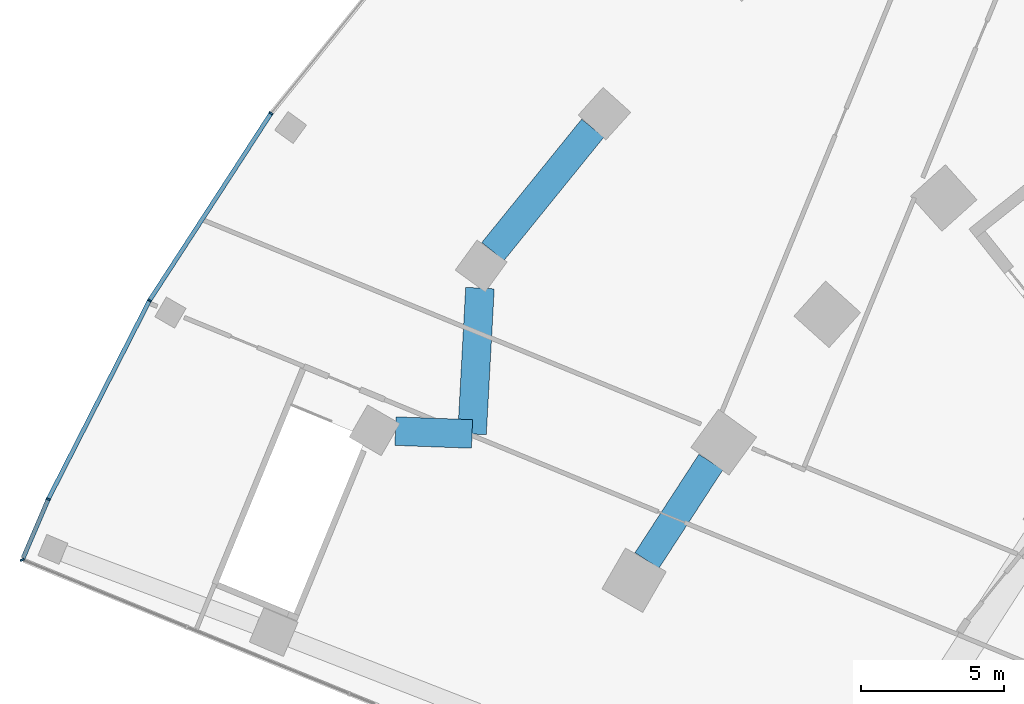
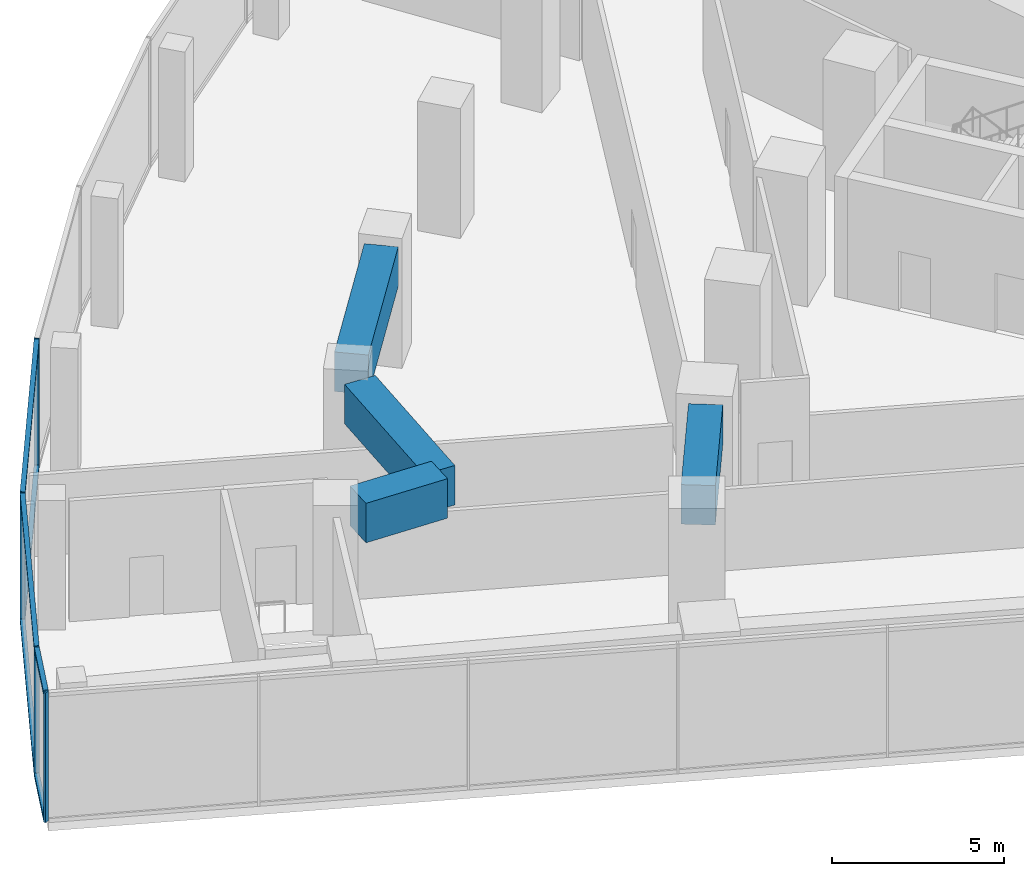
# One storey, part 4 of 33: 10 members, 4 beams, 2 elements without a shape of their own.
"""IFC4 building model written with IfcOpenShell, lengths in metres."""

from ifc_helpers import new_model, si_unit, direction, frame, origin, origin_2d, place, context, subcontext, project, spatial, rectangle, extrude, material, layer, layer_set, material_profile, profile_set, type_object, element, aggregate, save


model = new_model("IFC4")

# Units and contexts
model_context = context("Model", 3, precision=1e-05, world=origin(), true_north=direction((0.0, 1.0)))
body_context = subcontext(model_context, "Body", "Model", "MODEL_VIEW")
ifc_project = project(units=[si_unit("LENGTHUNIT", "METRE"), si_unit("AREAUNIT", "SQUARE_METRE"), si_unit("VOLUMEUNIT", "CUBIC_METRE"), si_unit("PLANEANGLEUNIT", "RADIAN"), si_unit("MASSUNIT", "GRAM", prefix="KILO")], contexts=[model_context])

# Site, building, storey
site_placement = place(None, origin())
site = spatial("IfcSite", under=ifc_project, at=site_placement, CompositionType="ELEMENT")
building_placement = place(site_placement, origin())
building = spatial("IfcBuilding", under=site, at=building_placement, Name="Stone Belt Terrace Tower", CompositionType="ELEMENT")
storey_placement = place(building_placement, frame((0.0, 0.0, 25.39990234375)))
storey = spatial("IfcBuildingStorey", under=building, at=storey_placement, Name="L05", CompositionType="ELEMENT", Elevation=25.39990234375)

# Curtain wall, members
ifc_material_1 = material(Name="Aluminium 6063-T6 anodised frame", Category="aluminium")
ifc_layer = layer(ifc_material_1, 0.14990234375)
ifc_layer_set = layer_set([ifc_layer], Name="CW-D podium shopfront")
curtain_wall_type = type_object("IfcCurtainWallType", Name="CW-D podium shopfront", PredefinedType="NOTDEFINED", material=ifc_layer_set)
curtain_wall_1_placement = place(storey_placement, origin())
curtain_wall_1 = element("IfcCurtainWall", 1, at=curtain_wall_1_placement, inside=storey, type_object=curtain_wall_type, Name="CW-D convex face L05", PredefinedType="NOTDEFINED")
ifc_material_profile_1 = material_profile(ifc_material_1, rectangle(XDim=0.14990234375, YDim=0.06005859375, at=origin_2d()), Name="Aluminium 6063-T6 60x150")
ifc_profile_set_1 = profile_set([ifc_material_profile_1], Name="Aluminium 6063-T6 anodised frame")
member_type_1 = type_object("IfcMemberType", Name="CW-D mullion 60 x 150", PredefinedType="MULLION", material=ifc_profile_set_1)
member_1_placement = place(storey_placement, frame((-60.33251953125, 43.834228515625, 0.0), z_axis=(0.0, 0.0, 1.0), x_axis=(0.809016994375, -0.587785252292, 0.0)))
member_1 = element("IfcMember", 2, at=member_1_placement, type_object=member_type_1, Name="CW-D mullion 22", PredefinedType="MULLION", context=body_context, shape_type="SweptSolid", body=[
    extrude(rectangle(XDim=0.14990234375, YDim=0.06005859375, at=origin_2d()), origin(), (0.0, 0.0, 1.0), 4.60009765625),
])
member_2_placement = place(storey_placement, frame((-64.583984375, 37.28759765625, 0.0), z_axis=(0.0, 0.0, 1.0), x_axis=(0.866025403784, -0.5, 0.0)))
member_2 = element("IfcMember", 3, at=member_2_placement, type_object=member_type_1, Name="CW-D mullion 23", PredefinedType="MULLION", context=body_context, shape_type="SweptSolid", body=[
    extrude(rectangle(XDim=0.14990234375, YDim=0.06005859375, at=origin_2d()), origin(), (0.0, 0.0, 1.0), 4.60009765625),
])
member_3_placement = place(storey_placement, frame((-68.127197265625, 30.333740234375, 0.0), z_axis=(0.0, 0.0, 1.0), x_axis=(0.905778201442, -0.423752108895, 0.0)))
member_3 = element("IfcMember", 4, at=member_3_placement, type_object=member_type_1, Name="CW-D mullion 24", PredefinedType="MULLION", context=body_context, shape_type="SweptSolid", body=[
    extrude(rectangle(XDim=0.14990234375, YDim=0.06005859375, at=origin_2d()), origin(), (0.0, 0.0, 1.0), 4.60009765625),
])

# Curtain wall, member
curtain_wall_2_placement = place(storey_placement, origin())
curtain_wall_2 = element("IfcCurtainWall", 5, at=curtain_wall_2_placement, inside=storey, type_object=curtain_wall_type, Name="CW-D end face L05", PredefinedType="NOTDEFINED")
member_4_placement = place(storey_placement, frame((-69.033447265625, 28.213134765625, 0.0), z_axis=(0.0, 0.0, 1.0), x_axis=(0.925309719849, 0.379212239192, 0.0)))
member_4 = element("IfcMember", 6, at=member_4_placement, type_object=member_type_1, Name="CW-D mullion 1", PredefinedType="MULLION", context=body_context, shape_type="SweptSolid", body=[
    extrude(rectangle(XDim=0.14990234375, YDim=0.06005859375, at=origin_2d()), origin(), (0.0, 0.0, 1.0), 4.60009765625),
])
aggregate(curtain_wall_2, [member_4])

# Member
ifc_material_profile_2 = material_profile(ifc_material_1, rectangle(XDim=0.14990234375, YDim=0.139892578125, at=origin_2d()), Name="Aluminium 6063-T6 150x140")
ifc_profile_set_2 = profile_set([ifc_material_profile_2], Name="Aluminium 6063-T6 anodised frame")
member_type_2 = type_object("IfcMemberType", Name="CW-D transom 140 x 150", PredefinedType="USERDEFINED", material=ifc_profile_set_2)
member_5_placement = place(storey_placement, frame((-60.35107421875, 43.8056640625, 0.070068359375), z_axis=(-0.54462677088, -0.83867853224, 0.0), x_axis=(0.83867853224, -0.54462677088, 0.0)))
member_5 = element("IfcMember", 7, at=member_5_placement, type_object=member_type_2, Name="CW-D transom 22.1", ObjectType="TRANSOM", PredefinedType="USERDEFINED", context=body_context, shape_type="SweptSolid", body=[
    extrude(rectangle(XDim=0.14990234375, YDim=0.139892578125, at=origin_2d()), origin(), (0.0, 0.0, 1.0), 7.738037109375),
])

member_6_placement = place(storey_placement, frame((-60.35107421875, 43.8056640625, 4.530029296875), z_axis=(-0.54462677088, -0.83867853224, 0.0), x_axis=(0.83867853224, -0.54462677088, 0.0)))
member_6 = element("IfcMember", 8, at=member_6_placement, type_object=member_type_2, Name="CW-D transom 22.2", ObjectType="TRANSOM", PredefinedType="USERDEFINED", context=body_context, shape_type="SweptSolid", body=[
    extrude(rectangle(XDim=0.14990234375, YDim=0.139892578125, at=origin_2d()), origin(), (0.0, 0.0, 1.0), 7.738037109375),
])

member_7_placement = place(storey_placement, frame((-64.599365234375, 37.25732421875, 0.070068359375), z_axis=(-0.453977770034, -0.891013010183, 0.0), x_axis=(0.891013010183, -0.453977770034, 0.0)))
member_7 = element("IfcMember", 9, at=member_7_placement, type_object=member_type_2, Name="CW-D transom 23.1", ObjectType="TRANSOM", PredefinedType="USERDEFINED", context=body_context, shape_type="SweptSolid", body=[
    extrude(rectangle(XDim=0.14990234375, YDim=0.139892578125, at=origin_2d()), origin(), (0.0, 0.0, 1.0), 7.738037109375),
])

member_8_placement = place(storey_placement, frame((-64.599365234375, 37.25732421875, 4.530029296875), z_axis=(-0.453977770034, -0.891013010183, 0.0), x_axis=(0.891013010183, -0.453977770034, 0.0)))
member_8 = element("IfcMember", 10, at=member_8_placement, type_object=member_type_2, Name="CW-D transom 23.2", ObjectType="TRANSOM", PredefinedType="USERDEFINED", context=body_context, shape_type="SweptSolid", body=[
    extrude(rectangle(XDim=0.14990234375, YDim=0.139892578125, at=origin_2d()), origin(), (0.0, 0.0, 1.0), 7.738037109375),
])

member_9_placement = place(storey_placement, frame((-68.139892578125, 30.3037109375, 0.070068359375), z_axis=(-0.39299460879, -0.919540775312, 0.0), x_axis=(0.919540775312, -0.39299460879, 0.0)))
member_9 = element("IfcMember", 11, at=member_9_placement, type_object=member_type_2, Name="CW-D transom 24.1", ObjectType="TRANSOM", PredefinedType="USERDEFINED", context=body_context, shape_type="SweptSolid", body=[
    extrude(rectangle(XDim=0.14990234375, YDim=0.139892578125, at=origin_2d()), origin(), (0.0, 0.0, 1.0), 2.19921875),
])

member_10_placement = place(storey_placement, frame((-68.139892578125, 30.3037109375, 4.530029296875), z_axis=(-0.39299460879, -0.919540775312, 0.0), x_axis=(0.919540775312, -0.39299460879, 0.0)))
member_10 = element("IfcMember", 12, at=member_10_placement, type_object=member_type_2, Name="CW-D transom 24.2", ObjectType="TRANSOM", PredefinedType="USERDEFINED", context=body_context, shape_type="SweptSolid", body=[
    extrude(rectangle(XDim=0.14990234375, YDim=0.139892578125, at=origin_2d()), origin(), (0.0, 0.0, 1.0), 2.19921875),
])

aggregate(curtain_wall_1, [member_1, member_2, member_3, member_5, member_6, member_7, member_8, member_9, member_10])

# Beams
ifc_material_2 = material(Name="Concrete B80", Category="concrete")
ifc_material_profile_3 = material_profile(ifc_material_2, rectangle(XDim=1.0, YDim=1.39990234375, at=origin_2d()), Name="RC 1000x1400")
ifc_profile_set_3 = profile_set([ifc_material_profile_3], Name="Concrete B80")
beam_type = type_object("IfcBeamType", Name="Transfer beam RC 1000x1400 B80", PredefinedType="BEAM", material=ifc_profile_set_3)
beam_1_placement = place(storey_placement, frame((-47.181396484375, 28.19287109375, 3.580078125), z_axis=(0.544653800357, 0.838660979036, 0.0), x_axis=(-0.838660979036, 0.544653800357, 0.0)))
element("IfcBeam", 13, at=beam_1_placement, inside=storey, type_object=beam_type, Name="Transfer beam L05 QQ12-Q13", PredefinedType="BEAM", context=body_context, shape_type="SweptSolid", body=[
    extrude(rectangle(XDim=1.0, YDim=1.39990234375, at=origin_2d()), origin(), (0.0, 0.0, 1.0), 4.104736328125),
])
beam_2_placement = place(storey_placement, frame((-55.980224609375, 32.717041015625, 3.580078125), z_axis=(0.999306325881, -0.03724066399, 0.0), x_axis=(0.03724066399, 0.999306325881, 0.0)))
element("IfcBeam", 14, at=beam_2_placement, inside=storey, type_object=beam_type, Name="Transfer beam L05 RR12-RA", PredefinedType="BEAM", context=body_context, shape_type="SweptSolid", body=[
    extrude(rectangle(XDim=1.0, YDim=1.39990234375, at=origin_2d()), origin(), (0.0, 0.0, 1.0), 2.681396484375),
])
beam_3_placement = place(storey_placement, frame((-53.30078125, 32.6171875, 3.580078125), z_axis=(0.054218558085, 0.998529092195, 0.0), x_axis=(-0.998529092195, 0.054218558085, 0.0)))
element("IfcBeam", 15, at=beam_3_placement, inside=storey, type_object=beam_type, Name="Transfer beam L05 RRA-R13", PredefinedType="BEAM", context=body_context, shape_type="SweptSolid", body=[
    extrude(rectangle(XDim=1.0, YDim=1.39990234375, at=origin_2d()), origin(), (0.0, 0.0, 1.0), 5.11083984375),
])
beam_4_placement = place(storey_placement, frame((-52.572021484375, 38.999267578125, 3.580078125), z_axis=(0.629327226656, 0.777140426042, 0.0), x_axis=(-0.777140426042, 0.629327226656, 0.0)))
element("IfcBeam", 16, at=beam_4_placement, inside=storey, type_object=beam_type, Name="Transfer beam L05 RR13-R14", PredefinedType="BEAM", context=body_context, shape_type="SweptSolid", body=[
    extrude(rectangle(XDim=1.0, YDim=1.39990234375, at=origin_2d()), origin(), (0.0, 0.0, 1.0), 5.552978515625),
])

save(model, "model.ifc")
